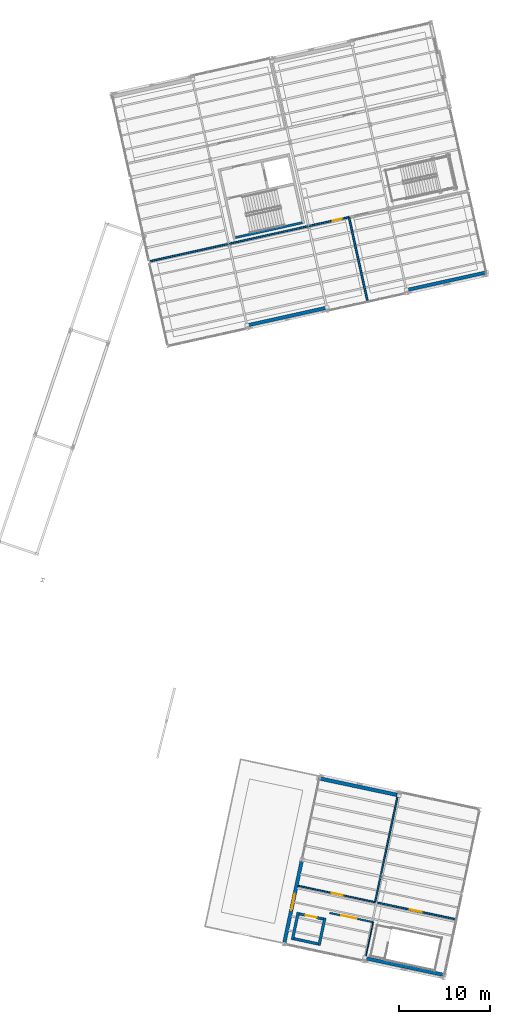
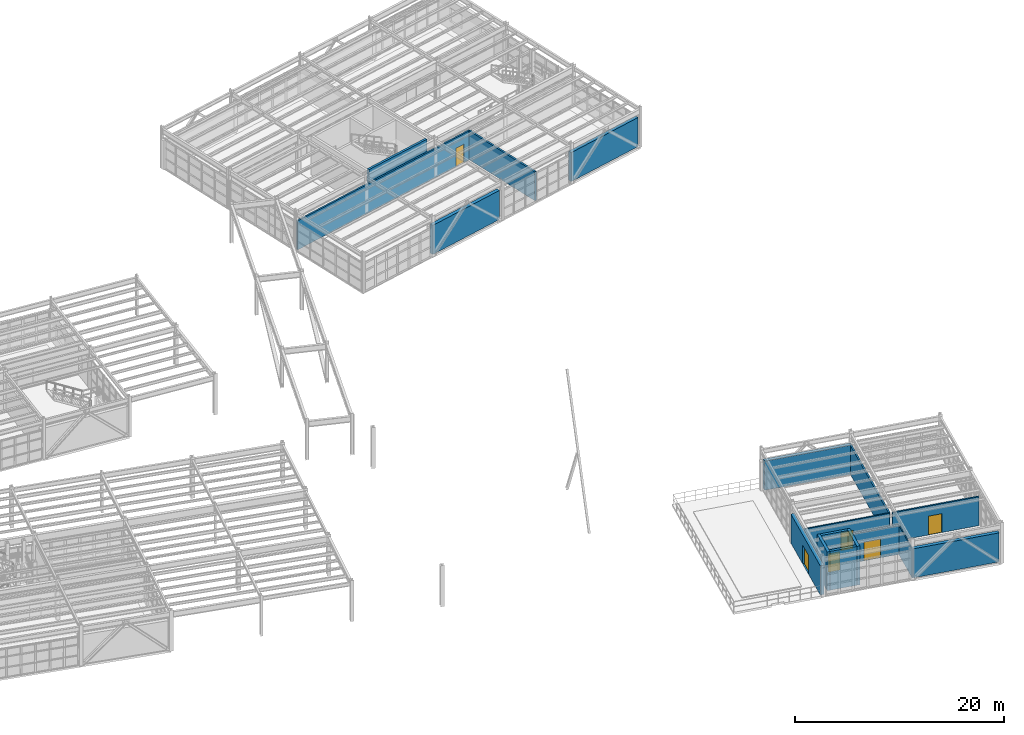
# One storey, part 94 of 109: 17 walls, 6 doors, 6 openings.
"""IFC4 building model written with IfcOpenShell, lengths in metres."""

from ifc_helpers import new_model, si_unit, direction, frame, frame_2d, origin, origin_with_axes, place, context, subcontext, project, spatial, rectangle, extrude, material, layer, layer_set, type_object, element, fill, save


model = new_model("IFC4")

# Units and contexts
model_context = context("Model", 3, precision=1e-05, world=origin(), true_north=direction((0.0, 1.0)))
body_context = subcontext(model_context, "Body", "Model", "MODEL_VIEW")
ifc_project = project(units=[si_unit("LENGTHUNIT", "METRE"), si_unit("AREAUNIT", "SQUARE_METRE"), si_unit("VOLUMEUNIT", "CUBIC_METRE"), si_unit("PLANEANGLEUNIT", "RADIAN"), si_unit("MASSUNIT", "GRAM", prefix="KILO")], contexts=[model_context])

# Site, building, storey
site_placement = place(None, origin())
site = spatial("IfcSite", under=ifc_project, at=site_placement, CompositionType="ELEMENT")
building_placement = place(site_placement, origin())
building = spatial("IfcBuilding", under=site, at=building_placement, Name="Vireo Bluff Cable Station", CompositionType="ELEMENT")
storey_placement = place(building_placement, frame((0.0, 0.0, 4.800048828125)))
storey = spatial("IfcBuildingStorey", under=building, at=storey_placement, Name="L01", CompositionType="ELEMENT", Elevation=4.800048828125)

# Walls
ifc_material_1 = material(Name="Precast concrete f'c 45 MPa", Category="concrete")
ifc_layer_1 = layer(ifc_material_1, 0.3701171875, Name="Precast concrete f'c 45 MPa")
ifc_layer_set_1 = layer_set([ifc_layer_1], Name="Precast concrete f'c 45 MPa")
wall_type_1 = type_object("IfcWallType", Name="EW-PRECAST-370", PredefinedType="SOLIDWALL", material=ifc_layer_set_1)
wall_1_placement = place(storey_placement, frame((160.946533203125, 82.095703125, 0.0), z_axis=(0.0, 0.0, 1.0), x_axis=(-0.976296752524, -0.216436251611, 0.0)))
element("IfcWall", 1, at=wall_1_placement, inside=storey, type_object=wall_type_1, Name="V2 L01 south exterior wall 34", PredefinedType="SOLIDWALL", context=body_context, shape_type="SweptSolid", body=[
    extrude(rectangle(XDim=8.683349609375, YDim=0.3701171875, at=frame_2d((4.341796875, 0.0))), origin(), (0.0, 0.0, 1.0), 3.39990234375),
])
ifc_layer_2 = layer(ifc_material_1, 0.3798828125, Name="Precast concrete f'c 45 MPa")
ifc_layer_set_2 = layer_set([ifc_layer_2], Name="Precast concrete f'c 45 MPa")
wall_type_2 = type_object("IfcWallType", Name="EW-PRECAST-380", PredefinedType="SOLIDWALL", material=ifc_layer_set_2)
wall_2_placement = place(storey_placement, frame((143.372314453125, 78.19970703125, 0.0), z_axis=(0.0, 0.0, 1.0), x_axis=(-0.976291483337, -0.216460018396, 0.0)))
element("IfcWall", 2, at=wall_2_placement, inside=storey, type_object=wall_type_2, Name="V2 L01 south exterior wall 35", PredefinedType="SOLIDWALL", context=body_context, shape_type="SweptSolid", body=[
    extrude(rectangle(XDim=8.682373046875, YDim=0.3798828125, at=frame_2d((4.34130859375, 0.0))), origin(), (0.0, 0.0, 1.0), 3.39990234375),
])
wall_3_placement = place(storey_placement, frame((156.2978515625, 4.7578125, 0.0), z_axis=(0.0, 0.0, 1.0), x_axis=(-0.978147340401, 0.207912915584, 0.0)))
element("IfcWall", 3, at=wall_3_placement, inside=storey, type_object=wall_type_2, Name="V5E L01 south exterior wall 115", PredefinedType="SOLIDWALL", context=body_context, shape_type="SweptSolid", body=[
    extrude(rectangle(XDim=8.6259765625, YDim=0.3798828125, at=frame_2d((4.31298828125, 0.0))), origin(), (0.0, 0.0, 1.0), 3.39990234375),
])

# Wall, opening, door
ifc_layer_3 = layer(ifc_material_1, 0.389892578125, Name="Precast concrete f'c 45 MPa")
ifc_layer_set_3 = layer_set([ifc_layer_3], Name="Precast concrete f'c 45 MPa")
wall_type_3 = type_object("IfcWallType", Name="EW-PRECAST-390", PredefinedType="SOLIDWALL", material=ifc_layer_set_3)
wall_4_placement = place(storey_placement, frame((138.841064453125, 8.306884765625, 0.0), z_axis=(0.0, 0.0, 1.0), x_axis=(0.207931944956, 0.978143295365, 0.0)))
wall_4 = element("IfcWall", 4, at=wall_4_placement, inside=storey, type_object=wall_type_3, Name="V5E L01 west exterior wall 116", PredefinedType="SOLIDWALL", context=body_context, shape_type="SweptSolid", body=[
    extrude(rectangle(XDim=9.135986328125, YDim=0.389892578125, at=frame_2d((4.56787109375, 0.0))), origin(), (0.0, 0.0, 1.0), 3.39990234375),
])
opening_1_placement = place(wall_4_placement, frame((3.64306640625, 0.0, 0.0)))
opening_1 = element("IfcOpeningElement", 5, at=opening_1_placement, cuts=wall_4, Name="Opening TD-005", PredefinedType="OPENING", context=body_context, shape_type="SweptSolid", body=[
    extrude(rectangle(XDim=1.85009765625, YDim=2.199951171875, at=frame_2d((0.925048828125, 1.10009765625))), frame((0.0, 0.205078125, 0.0), z_axis=(0.0, -1.0, 0.0), x_axis=(1.0, 0.0, 0.0)), (0.0, 0.0, 1.0), 0.409912109375),
])
ifc_material_2 = material(Name="Anodized Aluminium 6063-T6", Category="aluminium")
door_type_1 = type_object("IfcDoorType", Name="TDOOR-1850X2200", OperationType="NOTDEFINED", PredefinedType="DOOR", material=ifc_material_2)
door_1_placement = place(opening_1_placement, origin_with_axes())
door_1 = element("IfcDoor", 6, at=door_1_placement, inside=storey, type_object=door_type_1, Name="V5E L01 terrace access door TD-005", OperationType="SINGLE_SWING_RIGHT", OverallHeight=2.199951171875, OverallWidth=1.85009765625, PredefinedType="DOOR", context=body_context, shape_type="SweptSolid", body=[
    extrude(rectangle(XDim=1.85009765625, YDim=2.199951171875, at=frame_2d((0.925048828125, 1.10009765625))), frame((0.0, 0.02490234375, 0.0), z_axis=(0.0, -1.0, 0.0), x_axis=(1.0, 0.0, 0.0)), (0.0, 0.0, 1.0), 0.050048828125),
])
fill(opening_1, door_1)

# Walls
ifc_layer_4 = layer(ifc_material_1, 0.39990234375, Name="Precast concrete f'c 45 MPa")
ifc_layer_set_4 = layer_set([ifc_layer_4], Name="Precast concrete f'c 45 MPa")
wall_type_4 = type_object("IfcWallType", Name="EW-PRECAST-400", PredefinedType="SOLIDWALL", material=ifc_layer_set_4)
wall_5_placement = place(storey_placement, frame((142.80908203125, 26.354248046875, 0.0), z_axis=(0.0, 0.0, 1.0), x_axis=(0.978144630188, -0.207925665647, 0.0)))
element("IfcWall", 7, at=wall_5_placement, inside=storey, type_object=wall_type_4, Name="V5E L01 north exterior wall 117", PredefinedType="SOLIDWALL", context=body_context, shape_type="SweptSolid", body=[
    extrude(rectangle(XDim=8.68408203125, YDim=0.39990234375, at=frame_2d((4.342041015625, 0.0))), origin(), (0.0, 0.0, 1.0), 3.39990234375),
])
ifc_material_3 = material(Name="Fire-Rated Gypsum Board Partition")
ifc_layer_5 = layer(ifc_material_3, 0.110107421875, Name="Fire-Rated Gypsum Board Partition")
ifc_layer_set_5 = layer_set([ifc_layer_5], Name="Fire-Rated Gypsum Board Partition")
wall_type_5 = type_object("IfcWallType", Name="PT-1HR-110", PredefinedType="PARTITIONING", material=ifc_layer_set_5)
wall_6_placement = place(storey_placement, frame((148.619384765625, 10.54052734375, 0.0), z_axis=(0.0, 0.0, 1.0), x_axis=(-0.207956086708, -0.978138163043, 0.0)))
element("IfcWall", 8, at=wall_6_placement, inside=storey, type_object=wall_type_5, Name="V5E L01 Community Club Office E partition", PredefinedType="PARTITIONING", context=body_context, shape_type="SweptSolid", body=[
    extrude(rectangle(XDim=4.22998046875, YDim=0.110107421875, at=frame_2d((2.114990234375, 0.0))), origin(), (0.0, 0.0, 1.0), 3.3798828125),
])

# Wall, opening, door
ifc_layer_6 = layer(ifc_material_3, 0.14990234375, Name="Fire-Rated Gypsum Board Partition")
ifc_layer_set_6 = layer_set([ifc_layer_6], Name="Fire-Rated Gypsum Board Partition")
wall_type_6 = type_object("IfcWallType", Name="PT-1HR-150", PredefinedType="PARTITIONING", material=ifc_layer_set_6)
wall_7_placement = place(storey_placement, frame((148.83203125, 12.74462890625, 0.0), z_axis=(0.0, 0.0, 1.0), x_axis=(-0.978146839882, 0.207915270313, 0.0)))
wall_7 = element("IfcWall", 9, at=wall_7_placement, inside=storey, type_object=wall_type_6, Name="V5E L01 Community Room East S partition", PredefinedType="PARTITIONING", context=body_context, shape_type="SweptSolid", body=[
    extrude(rectangle(XDim=8.679931640625, YDim=0.14990234375, at=frame_2d((4.33984375, 0.0))), origin(), (0.0, 0.0, 1.0), 3.3798828125),
])
opening_2_placement = place(wall_7_placement, frame((3.64990234375, 0.0, 0.0)))
opening_2 = element("IfcOpeningElement", 10, at=opening_2_placement, cuts=wall_7, Name="Opening D-0126", PredefinedType="OPENING", context=body_context, shape_type="SweptSolid", body=[
    extrude(rectangle(XDim=1.25, YDim=2.14990234375, at=frame_2d((0.625, 1.074951171875))), frame((0.0, 0.0849609375, 0.0), z_axis=(0.0, -1.0, 0.0), x_axis=(1.0, 0.0, 0.0)), (0.0, 0.0, 1.0), 0.169921875),
])
door_type_2 = type_object("IfcDoorType", Name="IDOOR60-1250X2150", OperationType="NOTDEFINED", PredefinedType="DOOR", material=ifc_material_2)
door_2_placement = place(opening_2_placement, origin_with_axes())
door_2 = element("IfcDoor", 11, at=door_2_placement, inside=storey, type_object=door_type_2, Name="V5E L01 Community Room East door D-0126", OperationType="SINGLE_SWING_LEFT", OverallHeight=2.14990234375, OverallWidth=1.25, PredefinedType="DOOR", context=body_context, shape_type="SweptSolid", body=[
    extrude(rectangle(XDim=1.25, YDim=2.14990234375, at=frame_2d((0.625, 1.074951171875))), frame((0.0, 0.02490234375, 0.0), z_axis=(0.0, -1.0, 0.0), x_axis=(1.0, 0.0, 0.0)), (0.0, 0.0, 1.0), 0.050048828125),
])
fill(opening_2, door_2)

# Wall
ifc_layer_7 = layer(ifc_material_3, 0.1650390625, Name="Fire-Rated Gypsum Board Partition")
ifc_layer_set_7 = layer_set([ifc_layer_7], Name="Fire-Rated Gypsum Board Partition")
wall_type_7 = type_object("IfcWallType", Name="PT-1HR-165", PredefinedType="PARTITIONING", material=ifc_layer_set_7)
wall_8_placement = place(storey_placement, frame((151.375, 24.707275390625, 0.0), z_axis=(0.0, 0.0, 1.0), x_axis=(-0.207929664169, -0.978143780207, 0.0)))
element("IfcWall", 12, at=wall_8_placement, inside=storey, type_object=wall_type_7, Name="V5E L01 Community Room East E partition", PredefinedType="PARTITIONING", context=body_context, shape_type="SweptSolid", body=[
    extrude(rectangle(XDim=12.22998046875, YDim=0.1650390625, at=frame_2d((6.114990234375, 0.0))), origin(), (0.0, 0.0, 1.0), 3.3798828125),
])

# Wall, opening, door
ifc_layer_8 = layer(ifc_material_3, 0.175048828125, Name="Fire-Rated Gypsum Board Partition")
ifc_layer_set_8 = layer_set([ifc_layer_8], Name="Fire-Rated Gypsum Board Partition")
wall_type_8 = type_object("IfcWallType", Name="PT-1HR-175", PredefinedType="PARTITIONING", material=ifc_layer_set_8)
wall_9_placement = place(storey_placement, frame((157.615966796875, 10.87744140625, 0.0), z_axis=(0.0, 0.0, 1.0), x_axis=(-0.97814805573, 0.207909550219, 0.0)))
wall_9 = element("IfcWall", 13, at=wall_9_placement, inside=storey, type_object=wall_type_8, Name="V5E L01 Trail Briefing Classroom S partition", PredefinedType="PARTITIONING", context=body_context, shape_type="SweptSolid", body=[
    extrude(rectangle(XDim=8.68017578125, YDim=0.175048828125, at=frame_2d((4.340087890625, 0.0))), origin(), (0.0, 0.0, 1.0), 3.3798828125),
])
opening_3_placement = place(wall_9_placement, frame((3.72998046875, 0.0, 0.0)))
opening_3 = element("IfcOpeningElement", 14, at=opening_3_placement, cuts=wall_9, Name="Opening D-0127", PredefinedType="OPENING", context=body_context, shape_type="SweptSolid", body=[
    extrude(rectangle(XDim=1.35009765625, YDim=2.199951171875, at=frame_2d((0.675048828125, 1.10009765625))), frame((0.0, 0.09765625, 0.0), z_axis=(0.0, -1.0, 0.0), x_axis=(1.0, 0.0, 0.0)), (0.0, 0.0, 1.0), 0.195068359375),
])
door_type_3 = type_object("IfcDoorType", Name="IDOOR60-1350X2200", OperationType="NOTDEFINED", PredefinedType="DOOR", material=ifc_material_2)
door_3_placement = place(opening_3_placement, origin_with_axes())
door_3 = element("IfcDoor", 15, at=door_3_placement, inside=storey, type_object=door_type_3, Name="V5E L01 Trail Briefing Classroom door D-0127", OperationType="SINGLE_SWING_RIGHT", OverallHeight=2.199951171875, OverallWidth=1.35009765625, PredefinedType="DOOR", context=body_context, shape_type="SweptSolid", body=[
    extrude(rectangle(XDim=1.35009765625, YDim=2.199951171875, at=frame_2d((0.675048828125, 1.10009765625))), frame((0.0, 0.02490234375, 0.0), z_axis=(0.0, -1.0, 0.0), x_axis=(1.0, 0.0, 0.0)), (0.0, 0.0, 1.0), 0.050048828125),
])
fill(opening_3, door_3)

ifc_layer_9 = layer(ifc_material_3, 0.18994140625, Name="Fire-Rated Gypsum Board Partition")
ifc_layer_set_9 = layer_set([ifc_layer_9], Name="Fire-Rated Gypsum Board Partition")
wall_type_9 = type_object("IfcWallType", Name="PT-1HR-190", PredefinedType="PARTITIONING", material=ifc_layer_set_9)
wall_10_placement = place(storey_placement, frame((143.826416015625, 11.559326171875, 0.0), z_axis=(0.0, 0.0, 1.0), x_axis=(0.978146693029, -0.207915961186, 0.0)))
wall_10 = element("IfcWall", 16, at=wall_10_placement, inside=storey, type_object=wall_type_9, Name="V5E L01 Community Club Office N partition", PredefinedType="PARTITIONING", context=body_context, shape_type="SweptSolid", body=[
    extrude(rectangle(XDim=4.900146484375, YDim=0.18994140625, at=frame_2d((2.4501953125, 0.0))), origin(), (0.0, 0.0, 1.0), 3.3798828125),
])
opening_4_placement = place(wall_10_placement, frame((1.323974609375, 0.0, 0.0)))
opening_4 = element("IfcOpeningElement", 17, at=opening_4_placement, cuts=wall_10, Name="Opening D-0128", PredefinedType="OPENING", context=body_context, shape_type="SweptSolid", body=[
    extrude(rectangle(XDim=1.699951171875, YDim=2.199951171875, at=frame_2d((0.85009765625, 1.10009765625))), frame((0.0, 0.10498046875, 0.0), z_axis=(0.0, -1.0, 0.0), x_axis=(1.0, 0.0, 0.0)), (0.0, 0.0, 1.0), 0.2099609375),
])
door_type_4 = type_object("IfcDoorType", Name="IDOOR60-1700X2200", OperationType="NOTDEFINED", PredefinedType="DOOR", material=ifc_material_2)
door_4_placement = place(opening_4_placement, origin_with_axes())
door_4 = element("IfcDoor", 18, at=door_4_placement, inside=storey, type_object=door_type_4, Name="V5E L01 Community Club Office door D-0128", OperationType="DOUBLE_DOOR_SINGLE_SWING", OverallHeight=2.199951171875, OverallWidth=1.699951171875, PredefinedType="DOOR", context=body_context, shape_type="SweptSolid", body=[
    extrude(rectangle(XDim=1.699951171875, YDim=2.199951171875, at=frame_2d((0.85009765625, 1.10009765625))), frame((0.0, 0.02490234375, 0.0), z_axis=(0.0, -1.0, 0.0), x_axis=(1.0, 0.0, 0.0)), (0.0, 0.0, 1.0), 0.050048828125),
])
fill(opening_4, door_4)

ifc_layer_10 = layer(ifc_material_3, 0.179931640625, Name="Fire-Rated Gypsum Board Partition")
ifc_layer_set_10 = layer_set([ifc_layer_10], Name="Fire-Rated Gypsum Board Partition")
wall_type_10 = type_object("IfcWallType", Name="PT-2HR-180", PredefinedType="PARTITIONING", material=ifc_layer_set_10)
wall_11_placement = place(storey_placement, frame((124.098876953125, 83.3603515625, 0.0), z_axis=(0.0, 0.0, 1.0), x_axis=(0.976295512731, 0.216441843972, 0.0)))
wall_11 = element("IfcWall", 19, at=wall_11_placement, inside=storey, type_object=wall_type_10, Name="V2 L01 Emergency Power Plant N partition", PredefinedType="PARTITIONING", context=body_context, shape_type="SweptSolid", body=[
    extrude(rectangle(XDim=22.380126953125, YDim=0.179931640625, at=frame_2d((11.18994140625, 0.0))), origin(), (0.0, 0.0, 1.0), 3.3798828125),
])
opening_5_placement = place(wall_11_placement, frame((20.5380859375, 0.0, 0.0)))
opening_5 = element("IfcOpeningElement", 20, at=opening_5_placement, cuts=wall_11, Name="Opening D-0064", PredefinedType="OPENING", context=body_context, shape_type="SweptSolid", body=[
    extrude(rectangle(XDim=1.050048828125, YDim=2.14990234375, at=frame_2d((0.52490234375, 1.074951171875))), frame((0.0, 0.10009765625, 0.0), z_axis=(0.0, -1.0, 0.0), x_axis=(1.0, 0.0, 0.0)), (0.0, 0.0, 1.0), 0.199951171875),
])
ifc_material_4 = material(Name="Stainless Steel 316", Category="steel")
door_type_5 = type_object("IfcDoorType", Name="IDOOR90-1050X2150", OperationType="NOTDEFINED", PredefinedType="DOOR", material=ifc_material_4)
door_5_placement = place(opening_5_placement, origin_with_axes())
door_5 = element("IfcDoor", 21, at=door_5_placement, inside=storey, type_object=door_type_5, Name="V2 L01 Emergency Power Plant door D-0064", OperationType="SINGLE_SWING_LEFT", OverallHeight=2.14990234375, OverallWidth=1.050048828125, PredefinedType="DOOR", context=body_context, shape_type="SweptSolid", body=[
    extrude(rectangle(XDim=1.050048828125, YDim=2.14990234375, at=frame_2d((0.52490234375, 1.074951171875))), frame((0.0, 0.02490234375, 0.0), z_axis=(0.0, -1.0, 0.0), x_axis=(1.0, 0.0, 0.0)), (0.0, 0.0, 1.0), 0.050048828125),
])
fill(opening_5, door_5)

# Walls
ifc_layer_11 = layer(ifc_material_3, 0.199951171875, Name="Fire-Rated Gypsum Board Partition")
ifc_layer_set_11 = layer_set([ifc_layer_11], Name="Fire-Rated Gypsum Board Partition")
wall_type_11 = type_object("IfcWallType", Name="PT-2HR-200", PredefinedType="PARTITIONING", material=ifc_layer_set_11)
wall_12_placement = place(storey_placement, frame((145.948486328125, 88.204345703125, 0.0), z_axis=(0.0, 0.0, 1.0), x_axis=(0.216445399334, -0.97629472451, 0.0)))
element("IfcWall", 22, at=wall_12_placement, inside=storey, type_object=wall_type_11, Name="V2 L01 Emergency Power Plant E partition", PredefinedType="PARTITIONING", context=body_context, shape_type="SweptSolid", body=[
    extrude(rectangle(XDim=9.380126953125, YDim=0.199951171875, at=frame_2d((4.68994140625, 0.0))), origin(), (0.0, 0.0, 1.0), 3.3798828125),
])
ifc_material_5 = material(Name="Concrete f'c 40 MPa", Category="concrete")
ifc_layer_12 = layer(ifc_material_5, 0.25, Name="Concrete f'c 40 MPa")
ifc_layer_set_12 = layer_set([ifc_layer_12], Name="Concrete f'c 40 MPa")
wall_type_12 = type_object("IfcWallType", Name="SW-CORE-250", PredefinedType="SHEAR", material=ifc_layer_set_12)
wall_13_placement = place(storey_placement, frame((133.43798828125, 85.958251953125, 0.0), z_axis=(0.0, 0.0, 1.0), x_axis=(0.976291943102, 0.216457944725, 0.0)))
element("IfcWall", 23, at=wall_13_placement, inside=storey, type_object=wall_type_12, Name="CORE-4 L01 stair shaft south shear wall", PredefinedType="SHEAR", context=body_context, shape_type="SweptSolid", body=[
    extrude(rectangle(XDim=7.550048828125, YDim=0.25, at=frame_2d((3.77490234375, 0.0))), origin(), (0.0, 0.0, 1.0), 4.5400390625),
])
ifc_layer_13 = layer(ifc_material_5, 0.300048828125, Name="Concrete f'c 40 MPa")
ifc_layer_set_13 = layer_set([ifc_layer_13], Name="Concrete f'c 40 MPa")
wall_type_13 = type_object("IfcWallType", Name="SW-CORE-300", PredefinedType="SHEAR", material=ifc_layer_set_13)
wall_14_placement = place(storey_placement, frame((139.720947265625, 8.59814453125, 0.0), z_axis=(0.0, 0.0, 1.0), x_axis=(0.207899254824, 0.978150244003, 0.0)))
element("IfcWall", 24, at=wall_14_placement, inside=storey, type_object=wall_type_13, Name="LP-03 L01 shaft W wall", PredefinedType="SHEAR", context=body_context, shape_type="SweptSolid", body=[
    extrude(rectangle(XDim=3.10009765625, YDim=0.300048828125, at=frame_2d((1.550048828125, 0.0))), origin(), (0.0, 0.0, 1.0), 4.5400390625),
])
wall_15_placement = place(storey_placement, frame((142.655517578125, 7.974609375, 0.0), z_axis=(0.0, 0.0, 1.0), x_axis=(0.207915270313, 0.978146839882, 0.0)))
element("IfcWall", 25, at=wall_15_placement, inside=storey, type_object=wall_type_13, Name="LP-03 L01 shaft E wall", PredefinedType="SHEAR", context=body_context, shape_type="SweptSolid", body=[
    extrude(rectangle(XDim=3.099853515625, YDim=0.300048828125, at=frame_2d((1.5498046875, 0.0))), origin(), (0.0, 0.0, 1.0), 4.5400390625),
])
wall_16_placement = place(storey_placement, frame((139.89892578125, 8.7138671875, 0.0), z_axis=(0.0, 0.0, 1.0), x_axis=(0.978133334052, -0.207978798957, 0.0)))
element("IfcWall", 26, at=wall_16_placement, inside=storey, type_object=wall_type_13, Name="LP-03 L01 shaft S wall", PredefinedType="SHEAR", context=body_context, shape_type="SweptSolid", body=[
    extrude(rectangle(XDim=2.699951171875, YDim=0.300048828125, at=frame_2d((1.35009765625, 0.0))), origin(), (0.0, 0.0, 1.0), 4.5400390625),
])

# Wall, opening, door
wall_17_placement = place(storey_placement, frame((140.48095703125, 11.45263671875, 0.0), z_axis=(0.0, 0.0, 1.0), x_axis=(0.97815563361, -0.207873895514, 0.0)))
wall_17 = element("IfcWall", 27, at=wall_17_placement, inside=storey, type_object=wall_type_13, Name="LP-03 L01 shaft N wall", PredefinedType="SHEAR", context=body_context, shape_type="SweptSolid", body=[
    extrude(rectangle(XDim=2.7001953125, YDim=0.300048828125, at=frame_2d((1.35009765625, 0.0))), origin(), (0.0, 0.0, 1.0), 4.5400390625),
])
opening_6_placement = place(wall_17_placement, frame((0.75, 0.0, 0.0)))
opening_6 = element("IfcOpeningElement", 28, at=opening_6_placement, cuts=wall_17, Name="Opening LD-021", PredefinedType="OPENING", context=body_context, shape_type="SweptSolid", body=[
    extrude(rectangle(XDim=1.199951171875, YDim=2.14990234375, at=frame_2d((0.60009765625, 1.074951171875))), frame((0.0, 0.16015625, 0.0), z_axis=(0.0, -1.0, 0.0), x_axis=(1.0, 0.0, 0.0)), (0.0, 0.0, 1.0), 0.320068359375),
])
door_type_6 = type_object("IfcDoorType", Name="LIFTDOOR-1200X2150", OperationType="DOUBLE_DOOR_SLIDING", PredefinedType="DOOR", material=ifc_material_4)
door_6_placement = place(opening_6_placement, origin_with_axes())
door_6 = element("IfcDoor", 29, at=door_6_placement, inside=storey, type_object=door_type_6, Name="LP-03 L01 lift sliding landing door LD-021", OperationType="DOUBLE_DOOR_SLIDING", OverallHeight=2.14990234375, OverallWidth=1.199951171875, PredefinedType="DOOR", context=body_context, shape_type="SweptSolid", body=[
    extrude(rectangle(XDim=1.199951171875, YDim=2.14990234375, at=frame_2d((0.60009765625, 1.074951171875))), frame((0.0, 0.02490234375, 0.0), z_axis=(0.0, -1.0, 0.0), x_axis=(1.0, 0.0, 0.0)), (0.0, 0.0, 1.0), 0.050048828125),
])
fill(opening_6, door_6)

save(model, "model.ifc")
